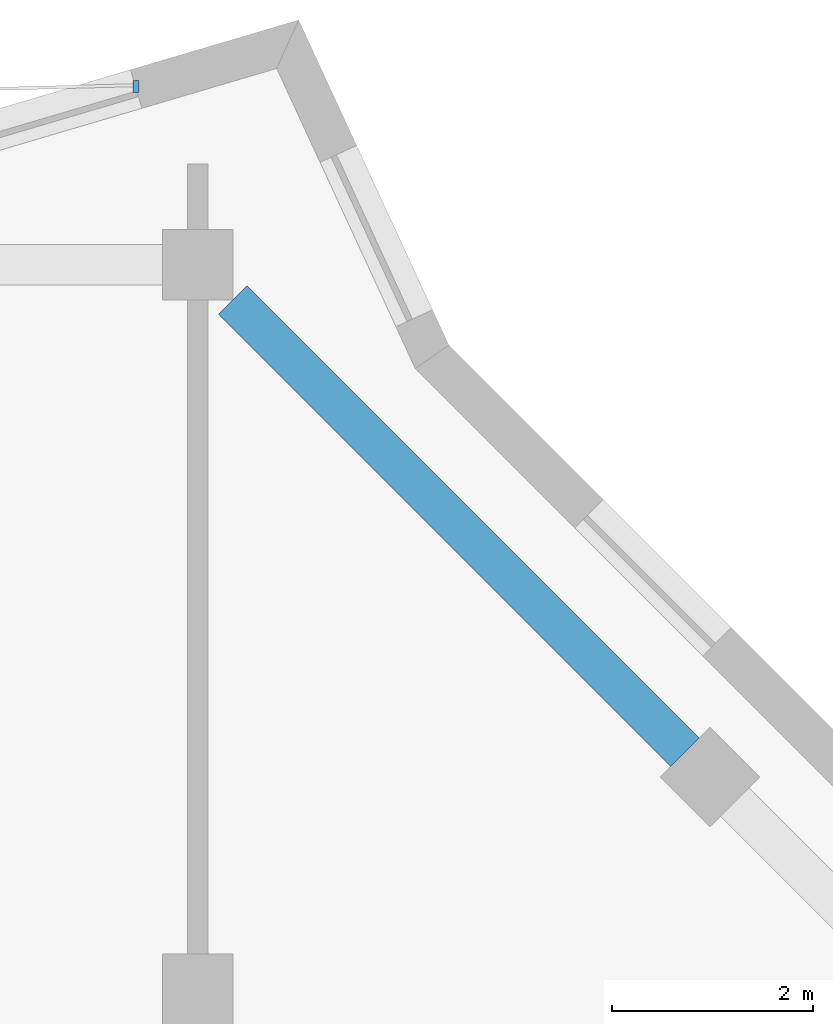
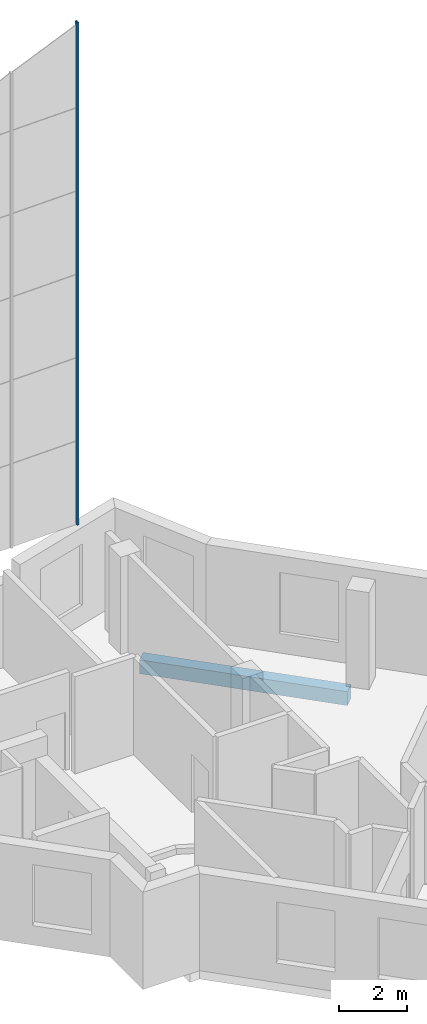
# One storey, part 4 of 13: 1 beam, 1 member, 1 element without a shape of its own.
"""IFC4 building model written with IfcOpenShell, lengths in metres."""

from ifc_helpers import new_model, si_unit, direction, frame, origin, origin_2d, place, context, subcontext, project, spatial, rectangle, extrude, material, material_profile, profile_set, type_object, element, aggregate, save


model = new_model("IFC4")

# Units and contexts
model_context = context("Model", 3, precision=1e-05, world=origin(), true_north=direction((0.0, 1.0)))
body_context = subcontext(model_context, "Body", "Model", "MODEL_VIEW")
ifc_project = project(units=[si_unit("LENGTHUNIT", "METRE"), si_unit("AREAUNIT", "SQUARE_METRE"), si_unit("VOLUMEUNIT", "CUBIC_METRE"), si_unit("PLANEANGLEUNIT", "RADIAN"), si_unit("MASSUNIT", "GRAM", prefix="KILO")], contexts=[model_context])

# Site, building, storey
site_placement = place(None, origin())
site = spatial("IfcSite", under=ifc_project, at=site_placement, CompositionType="ELEMENT")
building_placement = place(site_placement, origin())
building = spatial("IfcBuilding", under=site, at=building_placement, Name="Windrow Commons", CompositionType="ELEMENT")
storey_placement = place(building_placement, frame((0.0, 0.0, 302.0)))
storey = spatial("IfcBuildingStorey", under=building, at=storey_placement, Name="L82", CompositionType="ELEMENT", Elevation=302.0)

# Curtain wall, member
ifc_material_1 = material(Name="Laminated glass in anodised aluminium frame", Category="aluminium")
curtain_wall_type = type_object("IfcCurtainWallType", Name="Curtain wall crown terrace screen", PredefinedType="USERDEFINED", material=ifc_material_1)
curtain_wall_placement = place(storey_placement, origin())
curtain_wall = element("IfcCurtainWall", 1, at=curtain_wall_placement, inside=storey, type_object=curtain_wall_type, Name="Glazed crown screen L82", ObjectType="STICK", PredefinedType="USERDEFINED")
ifc_material_2 = material(Name="Anodised aluminium", Category="aluminium")
ifc_material_profile_1 = material_profile(ifc_material_2, rectangle(XDim=0.06, YDim=0.12, at=origin_2d()))
ifc_profile_set_1 = profile_set([ifc_material_profile_1], Name="Anodised aluminium")
member_type = type_object("IfcMemberType", Name="Crown screen mullion 60x120", PredefinedType="MULLION", material=ifc_profile_set_1)
member_placement = place(storey_placement, frame((78.589, 73.7704, 3.5), z_axis=(0.0, 0.0, 1.0), x_axis=(1.0, 0.0, 0.0)))
member = element("IfcMember", 2, at=member_placement, type_object=member_type, Name="Crown screen mullion L82", PredefinedType="MULLION", context=body_context, shape_type="SweptSolid", body=[
    extrude(rectangle(XDim=0.06, YDim=0.12, at=origin_2d()), origin(), (0.0, 0.0, 1.0), 18.1144),
])
aggregate(curtain_wall, [member])

# Beam
ifc_material_3 = material(Name="Concrete C40/50", Category="concrete")
ifc_material_profile_2 = material_profile(ifc_material_3, rectangle(XDim=0.4, YDim=0.5, at=origin_2d()))
ifc_profile_set_2 = profile_set([ifc_material_profile_2], Name="Concrete C40/50")
beam_type = type_object("IfcBeamType", Name="RC EDGE BEAM 400x500 C40/50", PredefinedType="SPANDREL", material=ifc_profile_set_2)
beam_placement = place(storey_placement, frame((79.55, 71.65, -0.55), z_axis=(0.7071067812, -0.7071067812, 0.0), x_axis=(0.7071067812, 0.7071067812, 0.0)))
element("IfcBeam", 3, at=beam_placement, inside=storey, type_object=beam_type, Name="Edge beam L82 004", PredefinedType="SPANDREL", context=body_context, shape_type="SweptSolid", body=[
    extrude(rectangle(XDim=0.4, YDim=0.5, at=origin_2d()), origin(), (0.0, 0.0, 1.0), 6.3551),
])

save(model, "model.ifc")
